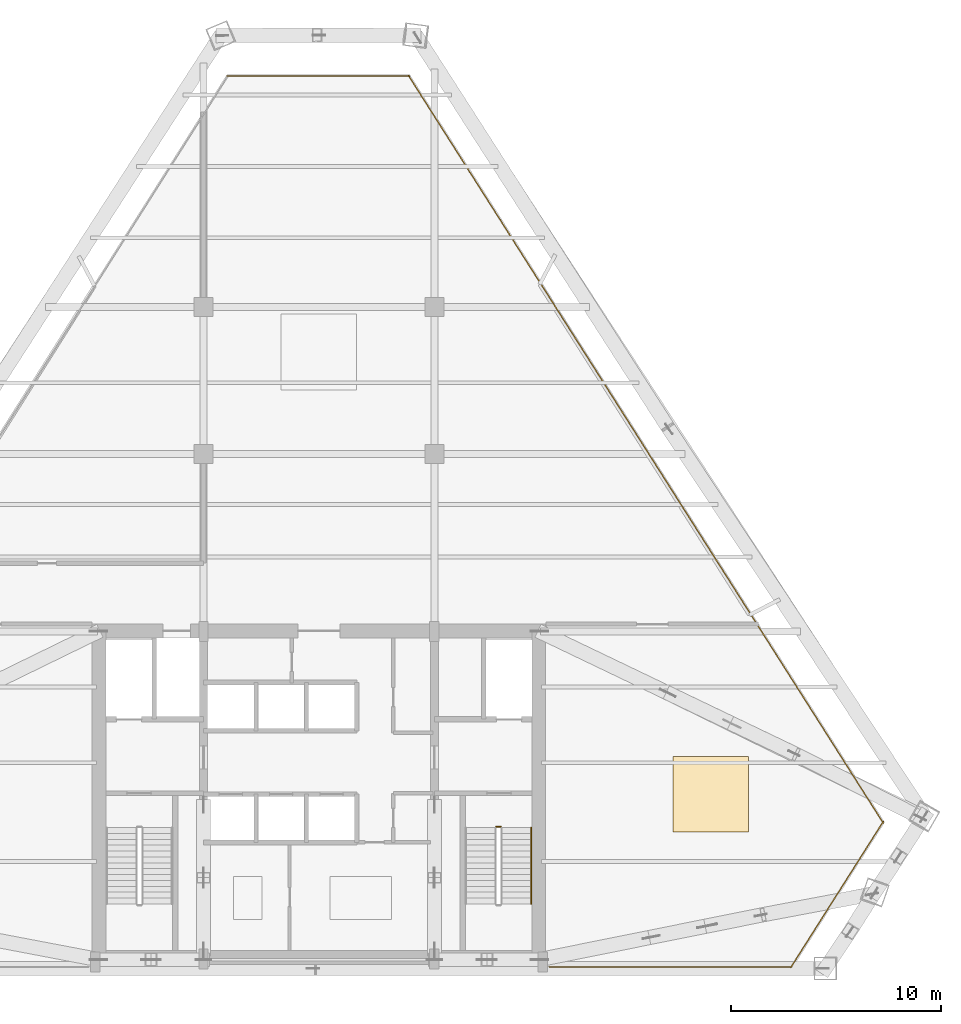
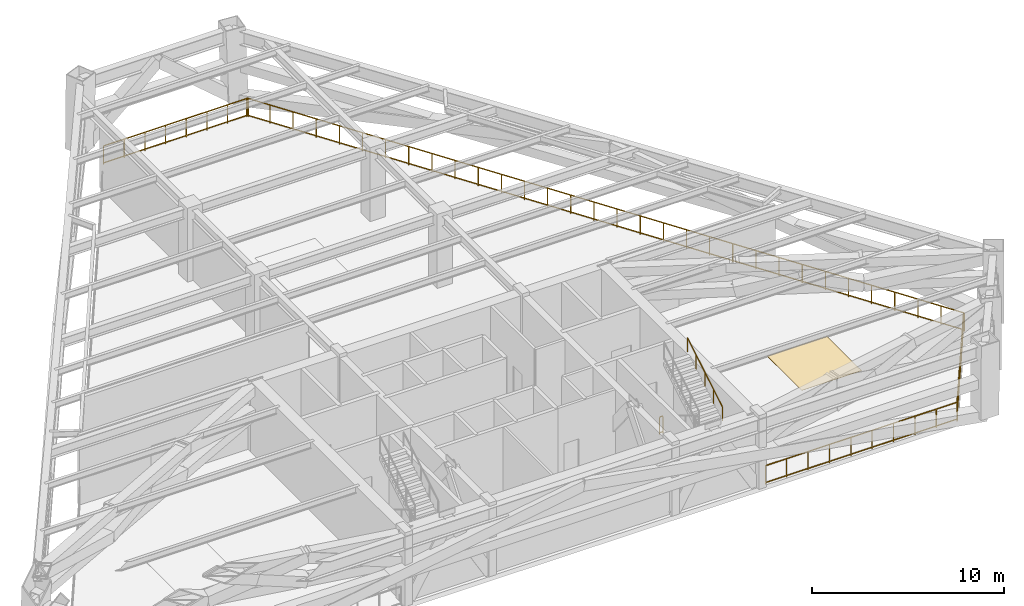
# One storey, part 9 of 9: 6 railings, 1 covering.
"""IFC4 building model written with IfcOpenShell, lengths in metres."""

from ifc_helpers import new_model, si_unit, direction, frame, origin, origin_2d, place, context, subcontext, project, spatial, rectangle, extrude, source, transform, mapped, material, layer, layer_set, type_object, type_shapes, element, save


model = new_model("IFC4")

# Units and contexts
model_context = context("Model", 3, precision=1e-05, world=origin(), true_north=direction((0.0, 1.0)))
body_context = subcontext(model_context, "Body", "Model", "MODEL_VIEW")
ifc_project = project(units=[si_unit("LENGTHUNIT", "METRE"), si_unit("AREAUNIT", "SQUARE_METRE"), si_unit("VOLUMEUNIT", "CUBIC_METRE"), si_unit("PLANEANGLEUNIT", "RADIAN"), si_unit("MASSUNIT", "GRAM", prefix="KILO")], contexts=[model_context])

# Site, building, storey
site_placement = place(None, origin())
site = spatial("IfcSite", under=ifc_project, at=site_placement, CompositionType="ELEMENT")
building_placement = place(site_placement, origin())
building = spatial("IfcBuilding", under=site, at=building_placement, Name="Varnakhor Terracotta Tower", CompositionType="ELEMENT")
storey_placement = place(building_placement, frame((0.0, 0.0, 166.300048828125)))
storey = spatial("IfcBuildingStorey", under=building, at=storey_placement, Name="L42", CompositionType="ELEMENT", Elevation=166.300048828125)

# Railings
ifc_material_1 = material(Name="Painted Steel Stairwell Guardrail", Category="steel")
railing_type_1 = type_object("IfcRailingType", Name="RLG-STAIR-GUARD-1120", PredefinedType="GUARDRAIL", material=ifc_material_1)
railing_1_placement = place(storey_placement, frame((8.449951171875, 6.760009765625, 0.0)))
element("IfcRailing", 1, at=railing_1_placement, inside=storey, type_object=railing_type_1, Name="L42 ST-2 stair guard 4", PredefinedType="GUARDRAIL", context=body_context, shape_type="SweptSolid", body=[
    extrude(rectangle(XDim=0.048095703125, YDim=0.048095703125, at=origin_2d()), frame((0.0, 0.0, 1.09619140625), z_axis=(1.0, 0.0, 0.0), x_axis=(0.0, 1.0, 0.0)), (0.0, 0.0, 1.0), 0.199951171875),
    extrude(rectangle(XDim=0.048095703125, YDim=0.048095703125, at=origin_2d()), frame((0.0, 0.0, 0.10009765625), z_axis=(1.0, 0.0, 0.0), x_axis=(0.0, 1.0, 0.0)), (0.0, 0.0, 1.0), 0.199951171875),
    extrude(rectangle(XDim=0.0419921875, YDim=0.0419921875, at=origin_2d()), origin(), (0.0, 0.0, 1.0), 1.072021484375),
    extrude(rectangle(XDim=0.0419921875, YDim=0.0419921875, at=origin_2d()), frame((0.199951171875, 0.0, 0.0)), (0.0, 0.0, 1.0), 1.072021484375),
])
ifc_material_2 = material(Name="Brushed Stainless Steel Handrail", Category="steel")
railing_type_2 = type_object("IfcRailingType", Name="RLG-STAIR-HANDRAIL-920", PredefinedType="HANDRAIL", material=ifc_material_2)
railing_2_placement = place(storey_placement, frame((10.10009765625, 3.070068359375, 2.517822265625)))
element("IfcRailing", 2, at=railing_2_placement, inside=storey, type_object=railing_type_2, Name="L42 ST-2 stair handrail 2", PredefinedType="HANDRAIL", context=body_context, shape_type="SweptSolid", body=[
    extrude(rectangle(XDim=0.048095703125, YDim=0.048095703125, at=origin_2d()), frame((0.0, 0.0, 0.89599609375), z_axis=(0.0, 0.857680679645, 0.514182702708), x_axis=(-1.0, 0.0, 0.0)), (0.0, 0.0, 1.0), 4.243896484375),
    extrude(rectangle(XDim=0.0419921875, YDim=0.0419921875, at=origin_2d()), origin(), (0.0, 0.0, 1.0), 0.871826171875),
    extrude(rectangle(XDim=0.0419921875, YDim=0.0419921875, at=origin_2d()), frame((0.0, 0.909912109375, 0.54541015625)), (0.0, 0.0, 1.0), 0.871826171875),
    extrude(rectangle(XDim=0.0419921875, YDim=0.0419921875, at=origin_2d()), frame((0.0, 1.81982421875, 1.091064453125)), (0.0, 0.0, 1.0), 0.871826171875),
    extrude(rectangle(XDim=0.0419921875, YDim=0.0419921875, at=origin_2d()), frame((0.0, 2.72998046875, 1.63671875)), (0.0, 0.0, 1.0), 0.871826171875),
    extrude(rectangle(XDim=0.0419921875, YDim=0.0419921875, at=origin_2d()), frame((0.0, 3.639892578125, 2.18212890625)), (0.0, 0.0, 1.0), 0.871826171875),
])
ifc_material_3 = material(Name="Terracotta & Brushed Steel Balustrade", Category="masonry")
railing_type_3 = type_object("IfcRailingType", Name="RLG-TERRACE-GUARD-1200", PredefinedType="BALUSTRADE", material=ifc_material_3)
railing_3_placement = place(storey_placement, frame((-4.3837890625, 42.49755859375, 0.0)))
element("IfcRailing", 3, at=railing_3_placement, inside=storey, type_object=railing_type_3, Name="L42 Open Floor Perimeter Guard 2", PredefinedType="BALUSTRADE", context=body_context, shape_type="SweptSolid", body=[
    extrude(rectangle(XDim=0.048095703125, YDim=0.048095703125, at=origin_2d()), frame((0.0, 0.0, 1.17578125), z_axis=(1.0, 0.0, 0.0), x_axis=(0.0, 1.0, 0.0)), (0.0, 0.0, 1.0), 8.709716796875),
    extrude(rectangle(XDim=0.048095703125, YDim=0.048095703125, at=origin_2d()), frame((0.0, 0.0, 0.10009765625), z_axis=(1.0, 0.0, 0.0), x_axis=(0.0, 1.0, 0.0)), (0.0, 0.0, 1.0), 8.709716796875),
    extrude(rectangle(XDim=0.0419921875, YDim=0.0419921875, at=origin_2d()), origin(), (0.0, 0.0, 1.0), 1.15185546875),
    extrude(rectangle(XDim=0.0419921875, YDim=0.0419921875, at=origin_2d()), frame((1.244140625, 0.0, 0.0)), (0.0, 0.0, 1.0), 1.15185546875),
    extrude(rectangle(XDim=0.0419921875, YDim=0.0419921875, at=origin_2d()), frame((2.488525390625, 0.0, 0.0)), (0.0, 0.0, 1.0), 1.15185546875),
    extrude(rectangle(XDim=0.0419921875, YDim=0.0419921875, at=origin_2d()), frame((3.732666015625, 0.0, 0.0)), (0.0, 0.0, 1.0), 1.15185546875),
    extrude(rectangle(XDim=0.0419921875, YDim=0.0419921875, at=origin_2d()), frame((4.97705078125, 0.0, 0.0)), (0.0, 0.0, 1.0), 1.15185546875),
    extrude(rectangle(XDim=0.0419921875, YDim=0.0419921875, at=origin_2d()), frame((6.22119140625, 0.0, 0.0)), (0.0, 0.0, 1.0), 1.15185546875),
    extrude(rectangle(XDim=0.0419921875, YDim=0.0419921875, at=origin_2d()), frame((7.465576171875, 0.0, 0.0)), (0.0, 0.0, 1.0), 1.15185546875),
    extrude(rectangle(XDim=0.0419921875, YDim=0.0419921875, at=origin_2d()), frame((8.709716796875, 0.0, 0.0)), (0.0, 0.0, 1.0), 1.15185546875),
])
railing_4_placement = place(storey_placement, frame((4.258544921875, 42.53466796875, 0.0)))
element("IfcRailing", 4, at=railing_4_placement, inside=storey, type_object=railing_type_3, Name="L42 Open Floor Perimeter Guard 3", PredefinedType="BALUSTRADE", context=body_context, shape_type="SweptSolid", body=[
    extrude(rectangle(XDim=0.048095703125, YDim=0.048095703125, at=origin_2d()), frame((0.0, 0.0, 1.17578125), z_axis=(0.536121240691, -0.844140992536, 0.0), x_axis=(0.844140992536, 0.536121240691, 0.0)), (0.0, 0.0, 1.0), 42.194091796875),
    extrude(rectangle(XDim=0.048095703125, YDim=0.048095703125, at=origin_2d()), frame((0.0, 0.0, 0.10009765625), z_axis=(0.536121240691, -0.844140992536, 0.0), x_axis=(0.844140992536, 0.536121240691, 0.0)), (0.0, 0.0, 1.0), 42.194091796875),
    extrude(rectangle(XDim=0.0419921875, YDim=0.0419921875, at=origin_2d()), origin(), (0.0, 0.0, 1.0), 1.15185546875),
    extrude(rectangle(XDim=0.0419921875, YDim=0.0419921875, at=origin_2d()), frame((0.729736328125, -1.14892578125, 0.0)), (0.0, 0.0, 1.0), 1.15185546875),
    extrude(rectangle(XDim=0.0419921875, YDim=0.0419921875, at=origin_2d()), frame((1.45947265625, -2.2978515625, 0.0)), (0.0, 0.0, 1.0), 1.15185546875),
    extrude(rectangle(XDim=0.0419921875, YDim=0.0419921875, at=origin_2d()), frame((2.189208984375, -3.44677734375, 0.0)), (0.0, 0.0, 1.0), 1.15185546875),
    extrude(rectangle(XDim=0.0419921875, YDim=0.0419921875, at=origin_2d()), frame((2.9189453125, -4.595947265625, 0.0)), (0.0, 0.0, 1.0), 1.15185546875),
    extrude(rectangle(XDim=0.0419921875, YDim=0.0419921875, at=origin_2d()), frame((3.648681640625, -5.744873046875, 0.0)), (0.0, 0.0, 1.0), 1.15185546875),
    extrude(rectangle(XDim=0.0419921875, YDim=0.0419921875, at=origin_2d()), frame((4.378173828125, -6.893798828125, 0.0)), (0.0, 0.0, 1.0), 1.15185546875),
    extrude(rectangle(XDim=0.0419921875, YDim=0.0419921875, at=origin_2d()), frame((5.10791015625, -8.042724609375, 0.0)), (0.0, 0.0, 1.0), 1.15185546875),
    extrude(rectangle(XDim=0.0419921875, YDim=0.0419921875, at=origin_2d()), frame((5.837646484375, -9.191650390625, 0.0)), (0.0, 0.0, 1.0), 1.15185546875),
    extrude(rectangle(XDim=0.0419921875, YDim=0.0419921875, at=origin_2d()), frame((6.5673828125, -10.340576171875, 0.0)), (0.0, 0.0, 1.0), 1.15185546875),
    extrude(rectangle(XDim=0.0419921875, YDim=0.0419921875, at=origin_2d()), frame((7.297119140625, -11.489501953125, 0.0)), (0.0, 0.0, 1.0), 1.15185546875),
    extrude(rectangle(XDim=0.0419921875, YDim=0.0419921875, at=origin_2d()), frame((8.02685546875, -12.638427734375, 0.0)), (0.0, 0.0, 1.0), 1.15185546875),
    extrude(rectangle(XDim=0.0419921875, YDim=0.0419921875, at=origin_2d()), frame((8.756591796875, -13.78759765625, 0.0)), (0.0, 0.0, 1.0), 1.15185546875),
    extrude(rectangle(XDim=0.0419921875, YDim=0.0419921875, at=origin_2d()), frame((9.486328125, -14.9365234375, 0.0)), (0.0, 0.0, 1.0), 1.15185546875),
    extrude(rectangle(XDim=0.0419921875, YDim=0.0419921875, at=origin_2d()), frame((10.216064453125, -16.08544921875, 0.0)), (0.0, 0.0, 1.0), 1.15185546875),
    extrude(rectangle(XDim=0.0419921875, YDim=0.0419921875, at=origin_2d()), frame((10.94580078125, -17.234375, 0.0)), (0.0, 0.0, 1.0), 1.15185546875),
    extrude(rectangle(XDim=0.0419921875, YDim=0.0419921875, at=origin_2d()), frame((11.67529296875, -18.38330078125, 0.0)), (0.0, 0.0, 1.0), 1.15185546875),
    extrude(rectangle(XDim=0.0419921875, YDim=0.0419921875, at=origin_2d()), frame((12.405029296875, -19.5322265625, 0.0)), (0.0, 0.0, 1.0), 1.15185546875),
    extrude(rectangle(XDim=0.0419921875, YDim=0.0419921875, at=origin_2d()), frame((13.134765625, -20.68115234375, 0.0)), (0.0, 0.0, 1.0), 1.15185546875),
    extrude(rectangle(XDim=0.0419921875, YDim=0.0419921875, at=origin_2d()), frame((13.864501953125, -21.830078125, 0.0)), (0.0, 0.0, 1.0), 1.15185546875),
    extrude(rectangle(XDim=0.0419921875, YDim=0.0419921875, at=origin_2d()), frame((14.59423828125, -22.979248046875, 0.0)), (0.0, 0.0, 1.0), 1.15185546875),
    extrude(rectangle(XDim=0.0419921875, YDim=0.0419921875, at=origin_2d()), frame((15.323974609375, -24.128173828125, 0.0)), (0.0, 0.0, 1.0), 1.15185546875),
    extrude(rectangle(XDim=0.0419921875, YDim=0.0419921875, at=origin_2d()), frame((16.0537109375, -25.277099609375, 0.0)), (0.0, 0.0, 1.0), 1.15185546875),
    extrude(rectangle(XDim=0.0419921875, YDim=0.0419921875, at=origin_2d()), frame((16.783447265625, -26.426025390625, 0.0)), (0.0, 0.0, 1.0), 1.15185546875),
    extrude(rectangle(XDim=0.0419921875, YDim=0.0419921875, at=origin_2d()), frame((17.51318359375, -27.574951171875, 0.0)), (0.0, 0.0, 1.0), 1.15185546875),
    extrude(rectangle(XDim=0.0419921875, YDim=0.0419921875, at=origin_2d()), frame((18.242919921875, -28.723876953125, 0.0)), (0.0, 0.0, 1.0), 1.15185546875),
    extrude(rectangle(XDim=0.0419921875, YDim=0.0419921875, at=origin_2d()), frame((18.972412109375, -29.872802734375, 0.0)), (0.0, 0.0, 1.0), 1.15185546875),
    extrude(rectangle(XDim=0.0419921875, YDim=0.0419921875, at=origin_2d()), frame((19.7021484375, -31.021728515625, 0.0)), (0.0, 0.0, 1.0), 1.15185546875),
    extrude(rectangle(XDim=0.0419921875, YDim=0.0419921875, at=origin_2d()), frame((20.431884765625, -32.1708984375, 0.0)), (0.0, 0.0, 1.0), 1.15185546875),
    extrude(rectangle(XDim=0.0419921875, YDim=0.0419921875, at=origin_2d()), frame((21.16162109375, -33.31982421875, 0.0)), (0.0, 0.0, 1.0), 1.15185546875),
    extrude(rectangle(XDim=0.0419921875, YDim=0.0419921875, at=origin_2d()), frame((21.891357421875, -34.46875, 0.0)), (0.0, 0.0, 1.0), 1.15185546875),
    extrude(rectangle(XDim=0.0419921875, YDim=0.0419921875, at=origin_2d()), frame((22.62109375, -35.61767578125, 0.0)), (0.0, 0.0, 1.0), 1.15185546875),
])
railing_5_placement = place(storey_placement, frame((26.879638671875, 7.002685546875, 0.0)))
element("IfcRailing", 5, at=railing_5_placement, inside=storey, type_object=railing_type_3, Name="L42 Open Floor Perimeter Guard 4", PredefinedType="BALUSTRADE", context=body_context, shape_type="SweptSolid", body=[
    extrude(rectangle(XDim=0.048095703125, YDim=0.048095703125, at=origin_2d()), frame((0.0, 0.0, 1.17578125), z_axis=(-0.535325545874, -0.844645819225, 0.0), x_axis=(0.844645819225, -0.535325545874, 0.0)), (0.0, 0.0, 1.0), 8.239990234375),
    extrude(rectangle(XDim=0.048095703125, YDim=0.048095703125, at=origin_2d()), frame((0.0, 0.0, 0.10009765625), z_axis=(-0.535325545874, -0.844645819225, 0.0), x_axis=(0.844645819225, -0.535325545874, 0.0)), (0.0, 0.0, 1.0), 8.239990234375),
    extrude(rectangle(XDim=0.0419921875, YDim=0.0419921875, at=origin_2d()), origin(), (0.0, 0.0, 1.0), 1.15185546875),
    extrude(rectangle(XDim=0.0419921875, YDim=0.0419921875, at=origin_2d()), frame((-0.735107421875, -1.159912109375, 0.0)), (0.0, 0.0, 1.0), 1.15185546875),
    extrude(rectangle(XDim=0.0419921875, YDim=0.0419921875, at=origin_2d()), frame((-1.470458984375, -2.320068359375, 0.0)), (0.0, 0.0, 1.0), 1.15185546875),
    extrude(rectangle(XDim=0.0419921875, YDim=0.0419921875, at=origin_2d()), frame((-2.20556640625, -3.47998046875, 0.0)), (0.0, 0.0, 1.0), 1.15185546875),
    extrude(rectangle(XDim=0.0419921875, YDim=0.0419921875, at=origin_2d()), frame((-2.940673828125, -4.639892578125, 0.0)), (0.0, 0.0, 1.0), 1.15185546875),
    extrude(rectangle(XDim=0.0419921875, YDim=0.0419921875, at=origin_2d()), frame((-3.676025390625, -5.800048828125, 0.0)), (0.0, 0.0, 1.0), 1.15185546875),
    extrude(rectangle(XDim=0.0419921875, YDim=0.0419921875, at=origin_2d()), frame((-4.4111328125, -6.9599609375, 0.0)), (0.0, 0.0, 1.0), 1.15185546875),
])
railing_6_placement = place(storey_placement, frame((22.5361328125, 0.080078125, 0.0)))
element("IfcRailing", 6, at=railing_6_placement, inside=storey, type_object=railing_type_3, Name="L42 Open Refuge Perimeter Guard SE", PredefinedType="BALUSTRADE", context=body_context, shape_type="SweptSolid", body=[
    extrude(rectangle(XDim=0.048095703125, YDim=0.048095703125, at=origin_2d()), frame((0.0, 0.0, 1.17578125), z_axis=(-1.0, 0.0, 0.0), x_axis=(0.0, -1.0, 0.0)), (0.0, 0.0, 1.0), 11.576171875),
    extrude(rectangle(XDim=0.048095703125, YDim=0.048095703125, at=origin_2d()), frame((0.0, 0.0, 0.10009765625), z_axis=(-1.0, 0.0, 0.0), x_axis=(0.0, -1.0, 0.0)), (0.0, 0.0, 1.0), 11.576171875),
    extrude(rectangle(XDim=0.0419921875, YDim=0.0419921875, at=origin_2d()), origin(), (0.0, 0.0, 1.0), 1.15185546875),
    extrude(rectangle(XDim=0.0419921875, YDim=0.0419921875, at=origin_2d()), frame((-1.2861328125, 0.0, 0.0)), (0.0, 0.0, 1.0), 1.15185546875),
    extrude(rectangle(XDim=0.0419921875, YDim=0.0419921875, at=origin_2d()), frame((-2.572509765625, 0.0, 0.0)), (0.0, 0.0, 1.0), 1.15185546875),
    extrude(rectangle(XDim=0.0419921875, YDim=0.0419921875, at=origin_2d()), frame((-3.858642578125, 0.0, 0.0)), (0.0, 0.0, 1.0), 1.15185546875),
    extrude(rectangle(XDim=0.0419921875, YDim=0.0419921875, at=origin_2d()), frame((-5.14501953125, 0.0, 0.0)), (0.0, 0.0, 1.0), 1.15185546875),
    extrude(rectangle(XDim=0.0419921875, YDim=0.0419921875, at=origin_2d()), frame((-6.43115234375, 0.0, 0.0)), (0.0, 0.0, 1.0), 1.15185546875),
    extrude(rectangle(XDim=0.0419921875, YDim=0.0419921875, at=origin_2d()), frame((-7.717529296875, 0.0, 0.0)), (0.0, 0.0, 1.0), 1.15185546875),
    extrude(rectangle(XDim=0.0419921875, YDim=0.0419921875, at=origin_2d()), frame((-9.003662109375, 0.0, 0.0)), (0.0, 0.0, 1.0), 1.15185546875),
    extrude(rectangle(XDim=0.0419921875, YDim=0.0419921875, at=origin_2d()), frame((-10.2900390625, 0.0, 0.0)), (0.0, 0.0, 1.0), 1.15185546875),
    extrude(rectangle(XDim=0.0419921875, YDim=0.0419921875, at=origin_2d()), frame((-11.576171875, 0.0, 0.0)), (0.0, 0.0, 1.0), 1.15185546875),
])

# Covering
ifc_material_4 = material(Name="Insulated Elastomeric Waterproof Roofing Membrane", Category="other")
ifc_layer = layer(ifc_material_4, 0.034912109375, Name="Insulated Elastomeric Waterproof Roofing Membrane")
ifc_layer_set = layer_set([ifc_layer], Name="Insulated Elastomeric Waterproof Roofing Membrane")
covering_type = type_object("IfcCoveringType", Name="COV-ROOF-MEMBRANE", PredefinedType="ROOFING", material=ifc_layer_set)
shared_shape = source(origin(), body_context, "Body", "SweptSolid", [
    extrude(rectangle(XDim=3.60009765625, YDim=3.60009765625, at=origin_2d()), origin(), (0.0, 0.0, 1.0), 0.014892578125),
])
type_shapes(covering_type, [shared_shape])
covering_placement = place(storey_placement, frame((18.657958984375, 8.291015625, 0.0), z_axis=(0.0, 0.0, 1.0), x_axis=(1.0, 0.0, 0.0)))
element("IfcCovering", 7, at=covering_placement, inside=storey, type_object=covering_type, Name="L42 Waterproof Plant Membrane 4", PredefinedType="ROOFING", context=body_context, shape_type="MappedRepresentation", body=[
    mapped(shared_shape, transform((0.0, 0.0, 0.0), scale=1.0)),
])

save(model, "model.ifc")
